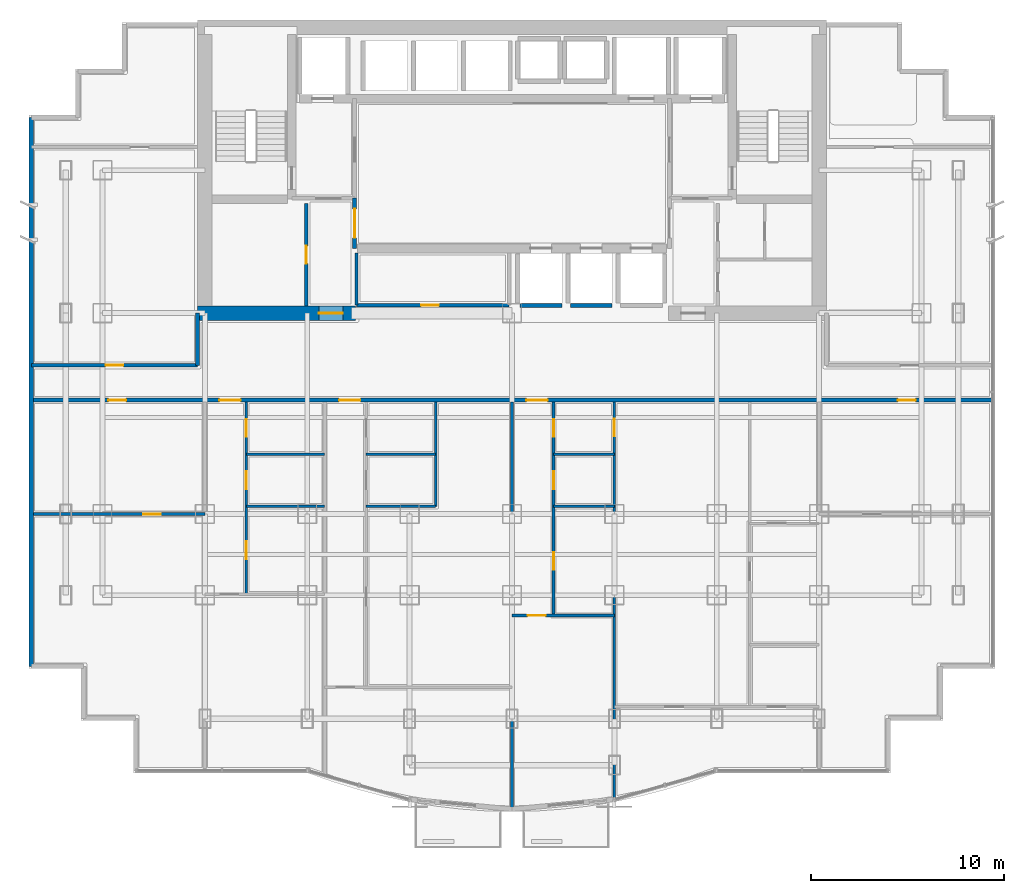
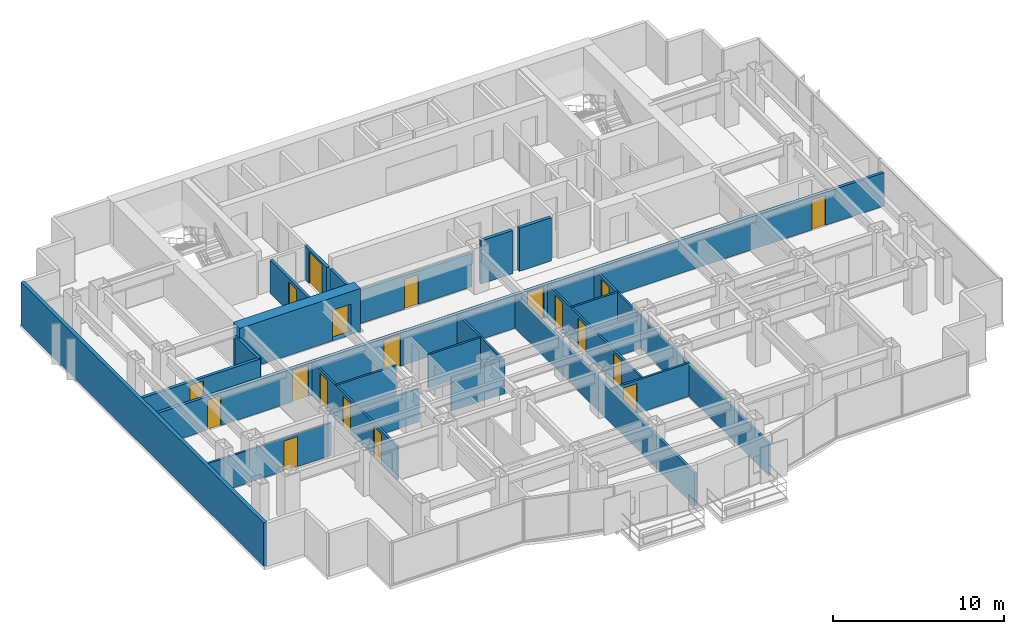
# One storey, part 7 of 12: 24 walls, 19 doors, 19 openings.
"""IFC4 building model written with IfcOpenShell, lengths in metres."""

import ifcopenshell
import ifcopenshell.guid

model = None  # the IFC model being written
_history = None  # IfcOwnerHistory: only IFC2X3 demands one
_inside = {}  # id of a spatial element -> (the spatial element, [elements in it])
_under = {}  # id of a project, library or spatial element -> (it, [spatial elements below it])
_declared = {}  # id of a project -> (the project, [libraries it declares])
_typed = {}  # id of a type object -> (the type object, [elements of that type])
_made_of = {}  # id of a material, layer set ... -> (it, [elements and type objects made of it])


def new_model(schema):
    """Start an empty IFC model of exactly this schema.

    Asked for "IFC4X3", IfcOpenShell would pick the latest addendum, in which some entities
    have other attributes; the version numbers below select the first issue.
    IFC2X3 requires an IfcOwnerHistory on every rooted entity: one is made here for all.
    """
    global model, _history
    if schema == "IFC4X3":
        model = ifcopenshell.file(schema_version=(4, 3, 0, 0))
    else:
        model = ifcopenshell.file(schema=schema)
    _inside.clear()
    _under.clear()
    _declared.clear()
    _typed.clear()
    _made_of.clear()
    _history = None
    if model.schema == "IFC2X3":
        org = make("IfcOrganization", Name="unknown")
        user = make(
            "IfcPersonAndOrganization",
            ThePerson=make("IfcPerson", FamilyName="unknown"),
            TheOrganization=org,
        )
        app = make(
            "IfcApplication",
            ApplicationDeveloper=org,
            Version="unknown",
            ApplicationFullName="unknown",
            ApplicationIdentifier="unknown",
        )
        _history = make(
            "IfcOwnerHistory",
            OwningUser=user,
            OwningApplication=app,
            ChangeAction="ADDED",
            CreationDate=0,
        )
    return model


def make(cls, **values):
    """One entity of the class cls with the attributes given. An attribute that is None is left unset."""
    return model.create_entity(
        cls, **{name: value for name, value in values.items() if value is not None}
    )


def rooted(cls, **values):
    """An entity with a GlobalId (a new one), such as an element, a storey or a relation."""
    return make(cls, GlobalId=ifcopenshell.guid.new(), OwnerHistory=_history, **values)


def si_unit(unit_type, name, prefix=None):
    """IfcSIUnit, for example si_unit("LENGTHUNIT", "METRE", prefix="MILLI")."""
    return make("IfcSIUnit", UnitType=unit_type, Prefix=prefix, Name=name)


def assignment(units):
    """IfcUnitAssignment: the units of a project."""
    return None if units is None else make("IfcUnitAssignment", Units=units)


def point(xyz):
    """IfcCartesianPoint."""
    return None if xyz is None else make("IfcCartesianPoint", Coordinates=xyz)


def direction(xyz):
    """IfcDirection."""
    return None if xyz is None else make("IfcDirection", DirectionRatios=xyz)


def frame(location, z_axis=None, x_axis=None):
    """IfcAxis2Placement3D, a coordinate frame: its origin and axes. An axis left out is left unset."""
    return make(
        "IfcAxis2Placement3D",
        Location=point(location),
        Axis=direction(z_axis),
        RefDirection=direction(x_axis),
    )


def frame_2d(location, x_axis=None):
    """IfcAxis2Placement2D, a coordinate frame in the plane: its origin and x axis."""
    return make(
        "IfcAxis2Placement2D", Location=point(location), RefDirection=direction(x_axis)
    )


def origin():
    """The frame at (0, 0, 0) with its axes left unset."""
    return frame((0.0, 0.0, 0.0))


def place(relative_to, where):
    """IfcLocalPlacement: puts the frame where relative to a parent placement (None: the world)."""
    return make(
        "IfcLocalPlacement", PlacementRelTo=relative_to, RelativePlacement=where
    )


def context(
    kind, dimensions, precision=None, world=None, true_north=None, identifier=None
):
    """IfcGeometricRepresentationContext, for example the 3D "Model" context."""
    return make(
        "IfcGeometricRepresentationContext",
        ContextIdentifier=identifier,
        ContextType=kind,
        CoordinateSpaceDimension=dimensions,
        Precision=precision,
        WorldCoordinateSystem=world,
        TrueNorth=true_north,
    )


def subcontext(parent, identifier, kind, view, scale=None):
    """IfcGeometricRepresentationSubContext, for example "Body" below "Model"."""
    return make(
        "IfcGeometricRepresentationSubContext",
        ContextIdentifier=identifier,
        ContextType=kind,
        ParentContext=parent,
        TargetScale=scale,
        TargetView=view,
    )


def project(units=None, contexts=None):
    """IfcProject with its units and contexts."""
    return rooted(
        "IfcProject",
        Name="project",
        RepresentationContexts=contexts,
        UnitsInContext=assignment(units),
    )


def spatial(cls, under=None, at=None, **own):
    """A site, building, storey or space (cls), placed at a placement, below another one or the project."""
    s = rooted(cls, ObjectPlacement=at, **own)
    if under is not None:
        _under.setdefault(under.id(), (under, []))[1].append(s)
    return s


def profile(cls, at=None, kind="AREA", **sizes):
    """A parametric profile (cls). Its sizes go by their IFC names, for example OverallWidth=200.0."""
    return make(cls, ProfileType=kind, Position=at, **sizes)


def rectangle(**sizes):
    """IfcRectangleProfileDef."""
    return profile("IfcRectangleProfileDef", **sizes)


def extrude(swept, where, along, depth):
    """IfcExtrudedAreaSolid: the profile swept, set in the frame where, extruded along a direction by depth."""
    return make(
        "IfcExtrudedAreaSolid",
        SweptArea=swept,
        Position=where,
        ExtrudedDirection=direction(along),
        Depth=depth,
    )


def shape(context_of_items, identifier, shape_type, items):
    """IfcShapeRepresentation: the items that make up one representation, for example the "Body"."""
    return make(
        "IfcShapeRepresentation",
        ContextOfItems=context_of_items,
        RepresentationIdentifier=identifier,
        RepresentationType=shape_type,
        Items=items,
    )


def material(Name=None, Category=None):
    """IfcMaterial."""
    return make("IfcMaterial", Name=Name, Category=Category)


def layer(
    of_material, thickness, ventilated=None, Name=None, Category=None, Priority=None
):
    """IfcMaterialLayer: one layer of a wall or slab, of a material (None: an air gap)."""
    return make(
        "IfcMaterialLayer",
        Material=of_material,
        LayerThickness=thickness,
        IsVentilated=ventilated,
        Name=Name,
        Category=Category,
        Priority=Priority,
    )


def layer_set(layers, Name=None):
    """IfcMaterialLayerSet."""
    return make("IfcMaterialLayerSet", MaterialLayers=layers, LayerSetName=Name)


def made_of(thing, what):
    """Note that an element or type object is made of a material, layer set ...; save() writes the relation."""
    if what is not None:
        _made_of.setdefault(what.id(), (what, []))[1].append(thing)
    return thing


def type_object(cls, material=None, **own):
    """A type object (cls), such as IfcWallType, which elements share."""
    return made_of(rooted(cls, **own), material)


def element(
    cls,
    number,
    at=None,
    inside=None,
    cuts=None,
    type_object=None,
    material=None,
    context=None,
    identifier="Body",
    shape_type=None,
    held_by="IfcProductDefinitionShape",
    body=None,
    shapes=None,
    **own,
):
    """One element of the class cls, such as IfcWall. Its Tag is "e" and its number.

    at: its placement. inside: the storey or other place that contains it. cuts: it is an
    opening in that element (IfcRelVoidsElement). A single representation is given by context,
    identifier, shape_type and body (its items); several are given by shapes. held_by: the class
    of the entity that holds the representations. save() writes the other relations.
    """
    e = rooted(cls, Tag="e%d" % number, ObjectPlacement=at, **own)
    if body is not None:
        shapes = [shape(context, identifier, shape_type, body)]
    if shapes is not None:
        e.Representation = make(held_by, Representations=shapes)
    if inside is not None:
        _inside.setdefault(inside.id(), (inside, []))[1].append(e)
    if cuts is not None:
        rooted(
            "IfcRelVoidsElement", RelatingBuildingElement=cuts, RelatedOpeningElement=e
        )
    if type_object is not None:
        _typed.setdefault(type_object.id(), (type_object, []))[1].append(e)
    return made_of(e, material)


def fill(opening, filler):
    """IfcRelFillsElement: the door or window that sits in an opening."""
    return rooted(
        "IfcRelFillsElement",
        RelatingOpeningElement=opening,
        RelatedBuildingElement=filler,
    )


def aggregate(whole, parts):
    """IfcRelAggregates: a whole, such as a stair, and the parts it consists of."""
    return rooted("IfcRelAggregates", RelatingObject=whole, RelatedObjects=parts)


def save(model, path):
    """Write the relations noted so far, then the file.

    IfcRelAggregates (storeys below a building ...), IfcRelContainedInSpatialStructure (elements
    in a storey), IfcRelDefinesByType, IfcRelAssociatesMaterial and IfcRelDeclares: one each for
    every whole, place, type object, material and project.
    """
    for whole, parts in _under.values():
        aggregate(whole, parts)
    for where, things in _inside.values():
        rooted(
            "IfcRelContainedInSpatialStructure",
            RelatedElements=things,
            RelatingStructure=where,
        )
    for kind, things in _typed.values():
        rooted("IfcRelDefinesByType", RelatedObjects=things, RelatingType=kind)
    for what, things in _made_of.values():
        rooted("IfcRelAssociatesMaterial", RelatedObjects=things, RelatingMaterial=what)
    for by, libraries in _declared.values():
        rooted("IfcRelDeclares", RelatingContext=by, RelatedDefinitions=libraries)
    model.write(path)


model = new_model("IFC4")

# Units and contexts
model_context = context("Model", 3, precision=1e-05, world=origin(), true_north=direction((0.0, 1.0)))
body_context = subcontext(model_context, "Body", "Model", "MODEL_VIEW")
ifc_project = project(units=[si_unit("LENGTHUNIT", "METRE"), si_unit("AREAUNIT", "SQUARE_METRE"), si_unit("VOLUMEUNIT", "CUBIC_METRE"), si_unit("PLANEANGLEUNIT", "RADIAN"), si_unit("MASSUNIT", "GRAM", prefix="KILO")], contexts=[model_context])

# Site, building, storey
site_placement = place(None, origin())
site = spatial("IfcSite", under=ifc_project, at=site_placement, CompositionType="ELEMENT")
building_placement = place(site_placement, origin())
building = spatial("IfcBuilding", under=site, at=building_placement, Name="Qianlan Lanfeng Residences", CompositionType="ELEMENT")
storey_placement = place(building_placement, frame((0.0, 0.0, 85.0)))
storey = spatial("IfcBuildingStorey", under=building, at=storey_placement, Name="L22", CompositionType="ELEMENT", Elevation=85.0)

# Wall, opening, door
ifc_material_1 = material(Name="Concrete C60", Category="concrete")
ifc_layer_1 = layer(ifc_material_1, 0.75)
ifc_layer_set_1 = layer_set([ifc_layer_1], Name="Concrete C60")
wall_type_1 = type_object("IfcWallType", Name="CW-RC-750", PredefinedType="SHEAR", material=ifc_layer_set_1)
wall_1_placement = place(storey_placement, frame((10.22509765625, 25.199951171875, 0.0), z_axis=(0.0, 0.0, 1.0), x_axis=(1.0, 0.0, 0.0)))
wall_1 = element("IfcWall", 1, at=wall_1_placement, inside=storey, type_object=wall_type_1, Name="L22 Core Shear Wall SW", PredefinedType="SHEAR", context=body_context, shape_type="SweptSolid", body=[
    extrude(rectangle(XDim=8.1748046875, YDim=0.75, at=frame_2d((4.08740234375, 0.0))), origin(), (0.0, 0.0, 1.0), 3.090087890625),
])
opening_1_placement = place(wall_1_placement, frame((6.27490234375, 0.0, 0.0)))
opening_1 = element("IfcOpeningElement", 2, at=opening_1_placement, cuts=wall_1, Name="Opening L22-D01", PredefinedType="OPENING", context=body_context, shape_type="SweptSolid", body=[
    extrude(rectangle(XDim=1.25, YDim=2.199951171875, at=frame_2d((0.625, 1.10009765625))), frame((0.0, 0.385009765625, 0.0), z_axis=(0.0, -1.0, 0.0), x_axis=(1.0, 0.0, 0.0)), (0.0, 0.0, 1.0), 0.77001953125),
])
ifc_material_2 = material(Name="Painted Galvanised Steel Fire Door", Category="steel")
door_type_1 = type_object("IfcDoorType", Name="DT-FFL", OperationType="NOTDEFINED", PredefinedType="DOOR", material=ifc_material_2)
door_1_placement = place(opening_1_placement, frame((1.25, 0.0, 0.0), z_axis=(0.0, 0.0, 1.0), x_axis=(-1.0, 0.0, 0.0)))
door_1 = element("IfcDoor", 3, at=door_1_placement, inside=storey, type_object=door_type_1, Name="L22 West Core Lobby Smoke Door L22-D01 (DT-FFL)", OperationType="SINGLE_SWING_RIGHT", OverallHeight=2.199951171875, OverallWidth=1.25, PredefinedType="DOOR", context=body_context, shape_type="SweptSolid", body=[
    extrude(rectangle(XDim=1.25, YDim=2.199951171875, at=frame_2d((0.625, 1.10009765625))), frame((0.0, 0.02490234375, 0.0), z_axis=(0.0, -1.0, 0.0), x_axis=(1.0, 0.0, 0.0)), (0.0, 0.0, 1.0), 0.050048828125),
])
fill(opening_1, door_1)

# Wall
ifc_material_3 = material(Name="Concrete C42", Category="concrete")
ifc_layer_2 = layer(ifc_material_3, 0.239990234375)
ifc_layer_set_2 = layer_set([ifc_layer_2], Name="Concrete C42")
wall_type_2 = type_object("IfcWallType", Name="EW-240", PredefinedType="SOLIDWALL", material=ifc_layer_set_2)
wall_2_placement = place(storey_placement, frame((1.6201171875, 35.330078125, 0.0), z_axis=(0.0, 0.0, 1.0), x_axis=(0.0, -1.0, 0.0)))
element("IfcWall", 4, at=wall_2_placement, inside=storey, type_object=wall_type_2, Name="L22 Exterior Facade Spandrel Wall 21", PredefinedType="SOLIDWALL", context=body_context, shape_type="SweptSolid", body=[
    extrude(rectangle(XDim=28.41015625, YDim=0.239990234375, at=frame_2d((14.205078125, 0.0))), origin(), (0.0, 0.0, 1.0), 3.090087890625),
])

# Wall, openings, doors
ifc_material_4 = material(Name="Moisture-Resistant Gypsum Partition 135 mm")
ifc_layer_3 = layer(ifc_material_4, 0.135009765625)
ifc_layer_set_3 = layer_set([ifc_layer_3], Name="Moisture-Resistant Gypsum Partition 135 mm")
wall_type_3 = type_object("IfcWallType", Name="PW-135", PredefinedType="PARTITIONING", material=ifc_layer_set_3)
wall_3_placement = place(storey_placement, frame((12.75, 10.652099609375, 0.0), z_axis=(0.0, 0.0, 1.0), x_axis=(0.0, 1.0, 0.0)))
wall_3 = element("IfcWall", 5, at=wall_3_placement, inside=storey, type_object=wall_type_3, Name="L22 U01 Entry Hall Spine", PredefinedType="PARTITIONING", context=body_context, shape_type="SweptSolid", body=[
    extrude(rectangle(XDim=9.947998046875, YDim=0.135009765625, at=frame_2d((4.97412109375, 0.0))), origin(), (0.0, 0.0, 1.0), 2.3798828125),
])
opening_2_placement = place(wall_3_placement, frame((1.81396484375, 0.0, 0.0)))
opening_2 = element("IfcOpeningElement", 6, at=opening_2_placement, cuts=wall_3, Name="Opening L22-D18", PredefinedType="OPENING", context=body_context, shape_type="SweptSolid", body=[
    extrude(rectangle(XDim=0.919921875, YDim=2.14990234375, at=frame_2d((0.4599609375, 1.074951171875))), frame((0.0, 0.07763671875, 0.0), z_axis=(0.0, -1.0, 0.0), x_axis=(1.0, 0.0, 0.0)), (0.0, 0.0, 1.0), 0.155029296875),
])
opening_3_placement = place(wall_3_placement, frame((5.43798828125, 0.0, 0.0)))
opening_3 = element("IfcOpeningElement", 7, at=opening_3_placement, cuts=wall_3, Name="Opening L22-D19", PredefinedType="OPENING", context=body_context, shape_type="SweptSolid", body=[
    extrude(rectangle(XDim=0.919921875, YDim=2.14990234375, at=frame_2d((0.4599609375, 1.074951171875))), frame((0.0, 0.07763671875, 0.0), z_axis=(0.0, -1.0, 0.0), x_axis=(1.0, 0.0, 0.0)), (0.0, 0.0, 1.0), 0.155029296875),
])
opening_4_placement = place(wall_3_placement, frame((8.14794921875, 0.0, 0.0)))
opening_4 = element("IfcOpeningElement", 8, at=opening_4_placement, cuts=wall_3, Name="Opening L22-D20", PredefinedType="OPENING", context=body_context, shape_type="SweptSolid", body=[
    extrude(rectangle(XDim=0.89990234375, YDim=2.14990234375, at=frame_2d((0.449951171875, 1.074951171875))), frame((0.0, 0.07763671875, 0.0), z_axis=(0.0, -1.0, 0.0), x_axis=(1.0, 0.0, 0.0)), (0.0, 0.0, 1.0), 0.155029296875),
])
ifc_material_5 = material(Name="Glazed Timber Kitchen/Study Door", Category="wood")
door_type_2 = type_object("IfcDoorType", Name="DT-INT", OperationType="NOTDEFINED", PredefinedType="DOOR", material=ifc_material_5)
door_2_placement = place(opening_2_placement, origin())
door_2 = element("IfcDoor", 9, at=door_2_placement, inside=storey, type_object=door_type_2, Name="L22 U01 Study Door L22-D18 (DT-INT)", OperationType="SINGLE_SWING_RIGHT", OverallHeight=2.14990234375, OverallWidth=0.919921875, PredefinedType="DOOR", context=body_context, shape_type="SweptSolid", body=[
    extrude(rectangle(XDim=0.919921875, YDim=2.14990234375, at=frame_2d((0.4599609375, 1.074951171875))), frame((0.0, 0.02490234375, 0.0), z_axis=(0.0, -1.0, 0.0), x_axis=(1.0, 0.0, 0.0)), (0.0, 0.0, 1.0), 0.050048828125),
])
fill(opening_2, door_2)
door_3_placement = place(opening_3_placement, origin())
door_3 = element("IfcDoor", 10, at=door_3_placement, inside=storey, type_object=door_type_2, Name="L22 U01 Kitchen Door L22-D19 (DT-INT)", OperationType="SINGLE_SWING_LEFT", OverallHeight=2.14990234375, OverallWidth=0.919921875, PredefinedType="DOOR", context=body_context, shape_type="SweptSolid", body=[
    extrude(rectangle(XDim=0.919921875, YDim=2.14990234375, at=frame_2d((0.4599609375, 1.074951171875))), frame((0.0, 0.02490234375, 0.0), z_axis=(0.0, -1.0, 0.0), x_axis=(1.0, 0.0, 0.0)), (0.0, 0.0, 1.0), 0.050048828125),
])
fill(opening_3, door_3)
ifc_material_6 = material(Name="Moisture-Resistant Timber Leaf", Category="wood")
door_type_3 = type_object("IfcDoorType", Name="DT-WC", OperationType="NOTDEFINED", PredefinedType="DOOR", material=ifc_material_6)
door_4_placement = place(opening_4_placement, origin())
door_4 = element("IfcDoor", 11, at=door_4_placement, inside=storey, type_object=door_type_3, Name="L22 U01 Bathroom Door L22-D20 (DT-WC)", OperationType="SINGLE_SWING_RIGHT", OverallHeight=2.14990234375, OverallWidth=0.89990234375, PredefinedType="DOOR", context=body_context, shape_type="SweptSolid", body=[
    extrude(rectangle(XDim=0.89990234375, YDim=2.14990234375, at=frame_2d((0.449951171875, 1.074951171875))), frame((0.0, 0.02490234375, 0.0), z_axis=(0.0, -1.0, 0.0), x_axis=(1.0, 0.0, 0.0)), (0.0, 0.0, 1.0), 0.050048828125),
])
fill(opening_4, door_4)

# Walls
for number, where, z_axis, x_axis, name in (
    (12, (12.75, 15.199951171875, 0.0), (0.0, 0.0, 1.0), (1.0, 0.0, 0.0), "L22 U01 Kitchen South Wall"),
    (13, (12.75, 17.89990234375, 0.0), (0.0, 0.0, 1.0), (1.0, 0.0, 0.0), "L22 U01 Bathroom South Wall"),
):
    element("IfcWall", number, at=place(storey_placement, frame(where, z_axis=z_axis, x_axis=x_axis)), inside=storey, type_object=wall_type_3, Name=name, PredefinedType="PARTITIONING", context=body_context, shape_type="SweptSolid", body=[
        extrude(rectangle(XDim=4.050048828125, YDim=0.135009765625, at=frame_2d((2.02490234375, 0.0))), origin(), (0.0, 0.0, 1.0), 2.3798828125),
    ])
wall_4_placement = place(storey_placement, frame((18.949951171875, 15.199951171875, 0.0), z_axis=(0.0, 0.0, 1.0), x_axis=(1.0, 0.0, 0.0)))
element("IfcWall", 14, at=wall_4_placement, inside=storey, type_object=wall_type_3, Name="L22 U02 Kitchen South Wall", PredefinedType="PARTITIONING", context=body_context, shape_type="SweptSolid", body=[
    extrude(rectangle(XDim=3.60009765625, YDim=0.135009765625, at=frame_2d((1.800048828125, 0.0))), origin(), (0.0, 0.0, 1.0), 2.3798828125),
])
wall_5_placement = place(storey_placement, frame((22.550048828125, 15.199951171875, 0.0), z_axis=(0.0, 0.0, 1.0), x_axis=(0.0, 1.0, 0.0)))
element("IfcWall", 15, at=wall_5_placement, inside=storey, type_object=wall_type_3, Name="L22 U02 Dining East Wall", PredefinedType="PARTITIONING", context=body_context, shape_type="SweptSolid", body=[
    extrude(rectangle(XDim=5.400146484375, YDim=0.135009765625, at=frame_2d((2.7001953125, 0.0))), origin(), (0.0, 0.0, 1.0), 2.3798828125),
])
wall_6_placement = place(storey_placement, frame((18.949951171875, 17.89990234375, 0.0), z_axis=(0.0, 0.0, 1.0), x_axis=(1.0, 0.0, 0.0)))
element("IfcWall", 16, at=wall_6_placement, inside=storey, type_object=wall_type_3, Name="L22 U02 Bathroom South Wall", PredefinedType="PARTITIONING", context=body_context, shape_type="SweptSolid", body=[
    extrude(rectangle(XDim=3.60009765625, YDim=0.135009765625, at=frame_2d((1.800048828125, 0.0))), origin(), (0.0, 0.0, 1.0), 2.3798828125),
])

# Wall, opening, door
wall_7_placement = place(storey_placement, frame((31.800048828125, 0.126953125, 0.0), z_axis=(0.0, 0.0, 1.0), x_axis=(0.0, 1.0, 0.0)))
wall_7 = element("IfcWall", 17, at=wall_7_placement, inside=storey, type_object=wall_type_3, Name="L22 U03 Bay Spine Wall 1", PredefinedType="PARTITIONING", context=body_context, shape_type="SweptSolid", body=[
    extrude(rectangle(XDim=20.47314453125, YDim=0.135009765625, at=frame_2d((10.236572265625, 0.0))), origin(), (0.0, 0.0, 1.0), 2.3349609375),
])
opening_5_placement = place(wall_7_placement, frame((18.68798828125, 0.0, 0.0)))
opening_5 = element("IfcOpeningElement", 18, at=opening_5_placement, cuts=wall_7, Name="Opening L22-D27", PredefinedType="OPENING", context=body_context, shape_type="SweptSolid", body=[
    extrude(rectangle(XDim=0.919921875, YDim=2.14990234375, at=frame_2d((0.4599609375, 1.074951171875))), frame((0.0, 0.07763671875, 0.0), z_axis=(0.0, -1.0, 0.0), x_axis=(1.0, 0.0, 0.0)), (0.0, 0.0, 1.0), 0.155029296875),
])
door_5_placement = place(opening_5_placement, origin())
door_5 = element("IfcDoor", 19, at=door_5_placement, inside=storey, type_object=door_type_2, Name="L22 U03 Internal Hall Door L22-D27 (DT-INT)", OperationType="SINGLE_SWING_LEFT", OverallHeight=2.14990234375, OverallWidth=0.919921875, PredefinedType="DOOR", context=body_context, shape_type="SweptSolid", body=[
    extrude(rectangle(XDim=0.919921875, YDim=2.14990234375, at=frame_2d((0.4599609375, 1.074951171875))), frame((0.0, 0.02490234375, 0.0), z_axis=(0.0, -1.0, 0.0), x_axis=(1.0, 0.0, 0.0)), (0.0, 0.0, 1.0), 0.050048828125),
])
fill(opening_5, door_5)

wall_8_placement = place(storey_placement, frame((26.5, 9.547119140625, 0.0), z_axis=(0.0, 0.0, 1.0), x_axis=(1.0, 0.0, 0.0)))
wall_8 = element("IfcWall", 20, at=wall_8_placement, inside=storey, type_object=wall_type_3, Name="L22 U03 Living Divider", PredefinedType="PARTITIONING", context=body_context, shape_type="SweptSolid", body=[
    extrude(rectangle(XDim=5.300048828125, YDim=0.135009765625, at=frame_2d((2.64990234375, 0.0))), origin(), (0.0, 0.0, 1.0), 2.3798828125),
])
opening_6_placement = place(wall_8_placement, frame((0.81494140625, 0.0, 0.0)))
opening_6 = element("IfcOpeningElement", 21, at=opening_6_placement, cuts=wall_8, Name="Opening L22-D28", PredefinedType="OPENING", context=body_context, shape_type="SweptSolid", body=[
    extrude(rectangle(XDim=0.919921875, YDim=2.14990234375, at=frame_2d((0.4599609375, 1.074951171875))), frame((0.0, 0.07763671875, 0.0), z_axis=(0.0, -1.0, 0.0), x_axis=(1.0, 0.0, 0.0)), (0.0, 0.0, 1.0), 0.155029296875),
])
door_6_placement = place(opening_6_placement, frame((0.919921875, 0.0, 0.0), z_axis=(0.0, 0.0, 1.0), x_axis=(-1.0, 0.0, 0.0)))
door_6 = element("IfcDoor", 22, at=door_6_placement, inside=storey, type_object=door_type_2, Name="L22 U03 Living Passage Door L22-D28 (DT-INT)", OperationType="SINGLE_SWING_LEFT", OverallHeight=2.14990234375, OverallWidth=0.919921875, PredefinedType="DOOR", context=body_context, shape_type="SweptSolid", body=[
    extrude(rectangle(XDim=0.919921875, YDim=2.14990234375, at=frame_2d((0.4599609375, 1.074951171875))), frame((0.0, 0.02490234375, 0.0), z_axis=(0.0, -1.0, 0.0), x_axis=(1.0, 0.0, 0.0)), (0.0, 0.0, 1.0), 0.050048828125),
])
fill(opening_6, door_6)

# Wall, openings, doors
wall_9_placement = place(storey_placement, frame((28.64990234375, 9.547119140625, 0.0), z_axis=(0.0, 0.0, 1.0), x_axis=(0.0, 1.0, 0.0)))
wall_9 = element("IfcWall", 23, at=wall_9_placement, inside=storey, type_object=wall_type_3, Name="L22 U03 Entry Hall Spine", PredefinedType="PARTITIONING", context=body_context, shape_type="SweptSolid", body=[
    extrude(rectangle(XDim=11.052978515625, YDim=0.135009765625, at=frame_2d((5.5263671875, 0.0))), origin(), (0.0, 0.0, 1.0), 2.3798828125),
])
opening_7_placement = place(wall_9_placement, frame((2.365966796875, 0.0, 0.0)))
opening_7 = element("IfcOpeningElement", 24, at=opening_7_placement, cuts=wall_9, Name="Opening L22-D29", PredefinedType="OPENING", context=body_context, shape_type="SweptSolid", body=[
    extrude(rectangle(XDim=0.919921875, YDim=2.14990234375, at=frame_2d((0.4599609375, 1.074951171875))), frame((0.0, 0.07763671875, 0.0), z_axis=(0.0, -1.0, 0.0), x_axis=(1.0, 0.0, 0.0)), (0.0, 0.0, 1.0), 0.155029296875),
])
opening_8_placement = place(wall_9_placement, frame((6.54296875, 0.0, 0.0)))
opening_8 = element("IfcOpeningElement", 25, at=opening_8_placement, cuts=wall_9, Name="Opening L22-D30", PredefinedType="OPENING", context=body_context, shape_type="SweptSolid", body=[
    extrude(rectangle(XDim=0.919921875, YDim=2.14990234375, at=frame_2d((0.4599609375, 1.074951171875))), frame((0.0, 0.07763671875, 0.0), z_axis=(0.0, -1.0, 0.0), x_axis=(1.0, 0.0, 0.0)), (0.0, 0.0, 1.0), 0.155029296875),
])
opening_9_placement = place(wall_9_placement, frame((9.2529296875, 0.0, 0.0)))
opening_9 = element("IfcOpeningElement", 26, at=opening_9_placement, cuts=wall_9, Name="Opening L22-D31", PredefinedType="OPENING", context=body_context, shape_type="SweptSolid", body=[
    extrude(rectangle(XDim=0.89990234375, YDim=2.14990234375, at=frame_2d((0.449951171875, 1.074951171875))), frame((0.0, 0.07763671875, 0.0), z_axis=(0.0, -1.0, 0.0), x_axis=(1.0, 0.0, 0.0)), (0.0, 0.0, 1.0), 0.155029296875),
])
door_7_placement = place(opening_7_placement, origin())
door_7 = element("IfcDoor", 27, at=door_7_placement, inside=storey, type_object=door_type_2, Name="L22 U03 Study Door L22-D29 (DT-INT)", OperationType="SINGLE_SWING_LEFT", OverallHeight=2.14990234375, OverallWidth=0.919921875, PredefinedType="DOOR", context=body_context, shape_type="SweptSolid", body=[
    extrude(rectangle(XDim=0.919921875, YDim=2.14990234375, at=frame_2d((0.4599609375, 1.074951171875))), frame((0.0, 0.02490234375, 0.0), z_axis=(0.0, -1.0, 0.0), x_axis=(1.0, 0.0, 0.0)), (0.0, 0.0, 1.0), 0.050048828125),
])
fill(opening_7, door_7)
door_8_placement = place(opening_8_placement, origin())
door_8 = element("IfcDoor", 28, at=door_8_placement, inside=storey, type_object=door_type_2, Name="L22 U03 Kitchen Door L22-D30 (DT-INT)", OperationType="SINGLE_SWING_RIGHT", OverallHeight=2.14990234375, OverallWidth=0.919921875, PredefinedType="DOOR", context=body_context, shape_type="SweptSolid", body=[
    extrude(rectangle(XDim=0.919921875, YDim=2.14990234375, at=frame_2d((0.4599609375, 1.074951171875))), frame((0.0, 0.02490234375, 0.0), z_axis=(0.0, -1.0, 0.0), x_axis=(1.0, 0.0, 0.0)), (0.0, 0.0, 1.0), 0.050048828125),
])
fill(opening_8, door_8)
door_9_placement = place(opening_9_placement, origin())
door_9 = element("IfcDoor", 29, at=door_9_placement, inside=storey, type_object=door_type_3, Name="L22 U03 Bathroom Door L22-D31 (DT-WC)", OperationType="SINGLE_SWING_LEFT", OverallHeight=2.14990234375, OverallWidth=0.89990234375, PredefinedType="DOOR", context=body_context, shape_type="SweptSolid", body=[
    extrude(rectangle(XDim=0.89990234375, YDim=2.14990234375, at=frame_2d((0.449951171875, 1.074951171875))), frame((0.0, 0.02490234375, 0.0), z_axis=(0.0, -1.0, 0.0), x_axis=(1.0, 0.0, 0.0)), (0.0, 0.0, 1.0), 0.050048828125),
])
fill(opening_9, door_9)

# Walls
for number, where, z_axis, x_axis, name in (
    (30, (28.64990234375, 15.199951171875, 0.0), (0.0, 0.0, 1.0), (1.0, 0.0, 0.0), "L22 U03 Kitchen South Wall"),
    (31, (28.64990234375, 17.89990234375, 0.0), (0.0, 0.0, 1.0), (1.0, 0.0, 0.0), "L22 U03 Bathroom South Wall"),
):
    element("IfcWall", number, at=place(storey_placement, frame(where, z_axis=z_axis, x_axis=x_axis)), inside=storey, type_object=wall_type_3, Name=name, PredefinedType="PARTITIONING", context=body_context, shape_type="SweptSolid", body=[
        extrude(rectangle(XDim=3.150146484375, YDim=0.135009765625, at=frame_2d((1.5751953125, 0.0))), origin(), (0.0, 0.0, 1.0), 2.3798828125),
    ])

# Wall, opening, door
wall_10_placement = place(storey_placement, frame((1.719970703125, 14.800048828125, 0.0), z_axis=(0.0, 0.0, 1.0), x_axis=(1.0, 0.0, 0.0)))
wall_10 = element("IfcWall", 32, at=wall_10_placement, inside=storey, type_object=wall_type_3, Name="L22 SWP Mid Partition", PredefinedType="PARTITIONING", context=body_context, shape_type="SweptSolid", body=[
    extrude(rectangle(XDim=8.880126953125, YDim=0.135009765625, at=frame_2d((4.43994140625, 0.0))), origin(), (0.0, 0.0, 1.0), 2.3349609375),
])
opening_10_placement = place(wall_10_placement, frame((5.679931640625, 0.0, 0.0)))
opening_10 = element("IfcOpeningElement", 33, at=opening_10_placement, cuts=wall_10, Name="Opening L22-D36", PredefinedType="OPENING", context=body_context, shape_type="SweptSolid", body=[
    extrude(rectangle(XDim=0.919921875, YDim=2.14990234375, at=frame_2d((0.4599609375, 1.074951171875))), frame((0.0, 0.07763671875, 0.0), z_axis=(0.0, -1.0, 0.0), x_axis=(1.0, 0.0, 0.0)), (0.0, 0.0, 1.0), 0.155029296875),
])
door_10_placement = place(opening_10_placement, origin())
door_10 = element("IfcDoor", 34, at=door_10_placement, inside=storey, type_object=door_type_2, Name="L22 SWP Inner Door L22-D36 (DT-INT)", OperationType="SINGLE_SWING_RIGHT", OverallHeight=2.14990234375, OverallWidth=0.919921875, PredefinedType="DOOR", context=body_context, shape_type="SweptSolid", body=[
    extrude(rectangle(XDim=0.919921875, YDim=2.14990234375, at=frame_2d((0.4599609375, 1.074951171875))), frame((0.0, 0.02490234375, 0.0), z_axis=(0.0, -1.0, 0.0), x_axis=(1.0, 0.0, 0.0)), (0.0, 0.0, 1.0), 0.050048828125),
])
fill(opening_10, door_10)

ifc_material_7 = material(Name="Double-Layer Acoustic Gypsum Stud Wall 180 mm")
ifc_layer_4 = layer(ifc_material_7, 0.179931640625)
ifc_layer_set_4 = layer_set([ifc_layer_4], Name="Double-Layer Acoustic Gypsum Stud Wall 180 mm")
wall_type_4 = type_object("IfcWallType", Name="PW-180", PredefinedType="PARTITIONING", material=ifc_layer_set_4)
wall_11_placement = place(storey_placement, frame((15.85009765625, 25.574951171875, 0.0), z_axis=(0.0, 0.0, 1.0), x_axis=(0.0, 1.0, 0.0)))
wall_11 = element("IfcWall", 35, at=wall_11_placement, inside=storey, type_object=wall_type_4, Name="L22 Core West Service Room Wall", PredefinedType="PARTITIONING", context=body_context, shape_type="SweptSolid", body=[
    extrude(rectangle(XDim=5.300048828125, YDim=0.179931640625, at=frame_2d((2.64990234375, 0.0))), origin(), (0.0, 0.0, 1.0), 2.3798828125),
])
opening_11_placement = place(wall_11_placement, frame((2.18994140625, 0.0, 0.0)))
opening_11 = element("IfcOpeningElement", 36, at=opening_11_placement, cuts=wall_11, Name="Opening L22-D09", PredefinedType="OPENING", context=body_context, shape_type="SweptSolid", body=[
    extrude(rectangle(XDim=0.919921875, YDim=2.14990234375, at=frame_2d((0.4599609375, 1.074951171875))), frame((0.0, 0.10009765625, 0.0), z_axis=(0.0, -1.0, 0.0), x_axis=(1.0, 0.0, 0.0)), (0.0, 0.0, 1.0), 0.199951171875),
])
door_11_placement = place(opening_11_placement, origin())
door_11 = element("IfcDoor", 37, at=door_11_placement, inside=storey, type_object=door_type_2, Name="L22 Storage Room Door L22-D09 (DT-INT)", OperationType="SINGLE_SWING_LEFT", OverallHeight=2.14990234375, OverallWidth=0.919921875, PredefinedType="DOOR", context=body_context, shape_type="SweptSolid", body=[
    extrude(rectangle(XDim=0.919921875, YDim=2.14990234375, at=frame_2d((0.4599609375, 1.074951171875))), frame((0.0, 0.02490234375, 0.0), z_axis=(0.0, -1.0, 0.0), x_axis=(1.0, 0.0, 0.0)), (0.0, 0.0, 1.0), 0.050048828125),
])
fill(opening_11, door_11)

# Wall
wall_12_placement = place(storey_placement, frame((18.449951171875, 25.6201171875, 0.0), z_axis=(0.0, 0.0, 1.0), x_axis=(0.0, 1.0, 0.0)))
element("IfcWall", 38, at=wall_12_placement, inside=storey, type_object=wall_type_4, Name="L22 Reclaimed Low-Bank Room West Wall", PredefinedType="PARTITIONING", context=body_context, shape_type="SweptSolid", body=[
    extrude(rectangle(XDim=2.704833984375, YDim=0.179931640625, at=frame_2d((1.3525390625, 0.0))), origin(), (0.0, 0.0, 1.0), 2.3798828125),
])

# Wall, opening, door
wall_13_placement = place(storey_placement, frame((18.449951171875, 25.6201171875, 0.0), z_axis=(0.0, 0.0, 1.0), x_axis=(1.0, 0.0, 0.0)))
wall_13 = element("IfcWall", 39, at=wall_13_placement, inside=storey, type_object=wall_type_4, Name="L22 Reclaimed Low-Bank Room South Wall", PredefinedType="PARTITIONING", context=body_context, shape_type="SweptSolid", body=[
    extrude(rectangle(XDim=7.900146484375, YDim=0.179931640625, at=frame_2d((3.9501953125, 0.0))), origin(), (0.0, 0.0, 1.0), 2.3798828125),
])
opening_12_placement = place(wall_13_placement, frame((3.340087890625, 0.0, 0.0)))
opening_12 = element("IfcOpeningElement", 40, at=opening_12_placement, cuts=wall_13, Name="Opening L22-D15", PredefinedType="OPENING", context=body_context, shape_type="SweptSolid", body=[
    extrude(rectangle(XDim=0.919921875, YDim=2.14990234375, at=frame_2d((0.4599609375, 1.074951171875))), frame((0.0, 0.10009765625, 0.0), z_axis=(0.0, -1.0, 0.0), x_axis=(1.0, 0.0, 0.0)), (0.0, 0.0, 1.0), 0.199951171875),
])
door_12_placement = place(opening_12_placement, origin())
door_12 = element("IfcDoor", 41, at=door_12_placement, inside=storey, type_object=door_type_2, Name="L22 Reclaimed Core Salon Door L22-D15 (DT-INT)", OperationType="SINGLE_SWING_LEFT", OverallHeight=2.14990234375, OverallWidth=0.919921875, PredefinedType="DOOR", context=body_context, shape_type="SweptSolid", body=[
    extrude(rectangle(XDim=0.919921875, YDim=2.14990234375, at=frame_2d((0.4599609375, 1.074951171875))), frame((0.0, 0.02490234375, 0.0), z_axis=(0.0, -1.0, 0.0), x_axis=(1.0, 0.0, 0.0)), (0.0, 0.0, 1.0), 0.050048828125),
])
fill(opening_12, door_12)

# Wall
wall_14_placement = place(storey_placement, frame((26.5, -0.3798828125, 0.0), z_axis=(0.0, 0.0, 1.0), x_axis=(0.0, 1.0, 0.0)))
element("IfcWall", 42, at=wall_14_placement, inside=storey, type_object=wall_type_4, Name="L22 Inter-Tenancy Party Wall 3", PredefinedType="PARTITIONING", context=body_context, shape_type="SweptSolid", body=[
    extrude(rectangle(XDim=20.97998046875, YDim=0.179931640625, at=frame_2d((10.489990234375, 0.0))), origin(), (0.0, 0.0, 1.0), 2.3349609375),
])

# Wall, opening, door
ifc_material_8 = material(Name="Autoclaved Aerated Concrete Blockwork 200 mm", Category="masonry")
ifc_layer_5 = layer(ifc_material_8, 0.199951171875)
ifc_layer_set_5 = layer_set([ifc_layer_5], Name="Autoclaved Aerated Concrete Blockwork 200 mm")
wall_type_5 = type_object("IfcWallType", Name="PW-200", PredefinedType="PARTITIONING", material=ifc_layer_set_5)
wall_15_placement = place(storey_placement, frame((18.35009765625, 28.550048828125, 0.0), z_axis=(0.0, 0.0, 1.0), x_axis=(0.0, 1.0, 0.0)))
wall_15 = element("IfcWall", 43, at=wall_15_placement, inside=storey, type_object=wall_type_5, Name="L22 Lift Lobby West Connector Wall", PredefinedType="PARTITIONING", context=body_context, shape_type="SweptSolid", body=[
    extrude(rectangle(XDim=2.599853515625, YDim=0.199951171875, at=frame_2d((1.2998046875, 0.0))), origin(), (0.0, 0.0, 1.0), 2.3798828125),
])
opening_13_placement = place(wall_15_placement, frame((0.550048828125, 0.0, 0.0)))
opening_13 = element("IfcOpeningElement", 44, at=opening_13_placement, cuts=wall_15, Name="Opening L22-D13", PredefinedType="OPENING", context=body_context, shape_type="SweptSolid", body=[
    extrude(rectangle(XDim=1.5, YDim=2.25, at=frame_2d((0.75, 1.125))), frame((0.0, 0.10986328125, 0.0), z_axis=(0.0, -1.0, 0.0), x_axis=(1.0, 0.0, 0.0)), (0.0, 0.0, 1.0), 0.219970703125),
])
ifc_material_9 = material(Name="Timber Veneer Acoustic Fire Door", Category="wood")
door_type_4 = type_object("IfcDoorType", Name="DT-COR1", OperationType="NOTDEFINED", PredefinedType="DOOR", material=ifc_material_9)
door_13_placement = place(opening_13_placement, origin())
door_13 = element("IfcDoor", 45, at=door_13_placement, inside=storey, type_object=door_type_4, Name="L22 Lift Lobby West Portal Door L22-D13 (DT-COR1)", OperationType="DOUBLE_DOOR_SINGLE_SWING", OverallHeight=2.25, OverallWidth=1.5, PredefinedType="DOOR", context=body_context, shape_type="SweptSolid", body=[
    extrude(rectangle(XDim=1.5, YDim=2.25, at=frame_2d((0.75, 1.125))), frame((0.0, 0.02490234375, 0.0), z_axis=(0.0, -1.0, 0.0), x_axis=(1.0, 0.0, 0.0)), (0.0, 0.0, 1.0), 0.050048828125),
])
fill(opening_13, door_13)

# Wall, openings, doors
wall_16_placement = place(storey_placement, frame((1.6201171875, 20.699951171875, 0.0), z_axis=(0.0, 0.0, 1.0), x_axis=(1.0, 0.0, 0.0)))
wall_16 = element("IfcWall", 46, at=wall_16_placement, inside=storey, type_object=wall_type_5, Name="L22 Residential Corridor South Fire Wall", PredefinedType="PARTITIONING", context=body_context, shape_type="SweptSolid", body=[
    extrude(rectangle(XDim=49.759765625, YDim=0.199951171875, at=frame_2d((24.8798828125, 0.0))), origin(), (0.0, 0.0, 1.0), 2.3798828125),
])
opening_14_placement = place(wall_16_placement, frame((9.72998046875, 0.0, 0.0)))
opening_14 = element("IfcOpeningElement", 47, at=opening_14_placement, cuts=wall_16, Name="Opening L22-D16", PredefinedType="OPENING", context=body_context, shape_type="SweptSolid", body=[
    extrude(rectangle(XDim=1.10009765625, YDim=2.25, at=frame_2d((0.550048828125, 1.125))), frame((0.0, 0.10986328125, 0.0), z_axis=(0.0, -1.0, 0.0), x_axis=(1.0, 0.0, 0.0)), (0.0, 0.0, 1.0), 0.219970703125),
])
opening_15_placement = place(wall_16_placement, frame((15.929931640625, 0.0, 0.0)))
opening_15 = element("IfcOpeningElement", 48, at=opening_15_placement, cuts=wall_16, Name="Opening L22-D21", PredefinedType="OPENING", context=body_context, shape_type="SweptSolid", body=[
    extrude(rectangle(XDim=1.10009765625, YDim=2.25, at=frame_2d((0.550048828125, 1.125))), frame((0.0, 0.10986328125, 0.0), z_axis=(0.0, -1.0, 0.0), x_axis=(1.0, 0.0, 0.0)), (0.0, 0.0, 1.0), 0.219970703125),
])
opening_16_placement = place(wall_16_placement, frame((25.6298828125, 0.0, 0.0)))
opening_16 = element("IfcOpeningElement", 49, at=opening_16_placement, cuts=wall_16, Name="Opening L22-D26", PredefinedType="OPENING", context=body_context, shape_type="SweptSolid", body=[
    extrude(rectangle(XDim=1.10009765625, YDim=2.25, at=frame_2d((0.550048828125, 1.125))), frame((0.0, 0.10986328125, 0.0), z_axis=(0.0, -1.0, 0.0), x_axis=(1.0, 0.0, 0.0)), (0.0, 0.0, 1.0), 0.219970703125),
])
opening_17_placement = place(wall_16_placement, frame((3.985107421875, 0.0, 0.0)))
opening_17 = element("IfcOpeningElement", 50, at=opening_17_placement, cuts=wall_16, Name="Opening L22-D37", PredefinedType="OPENING", context=body_context, shape_type="SweptSolid", body=[
    extrude(rectangle(XDim=0.919921875, YDim=2.14990234375, at=frame_2d((0.4599609375, 1.074951171875))), frame((0.0, 0.10986328125, 0.0), z_axis=(0.0, -1.0, 0.0), x_axis=(1.0, 0.0, 0.0)), (0.0, 0.0, 1.0), 0.219970703125),
])
opening_18_placement = place(wall_16_placement, frame((44.85498046875, 0.0, 0.0)))
opening_18 = element("IfcOpeningElement", 51, at=opening_18_placement, cuts=wall_16, Name="Opening L22-D39", PredefinedType="OPENING", context=body_context, shape_type="SweptSolid", body=[
    extrude(rectangle(XDim=0.919921875, YDim=2.14990234375, at=frame_2d((0.4599609375, 1.074951171875))), frame((0.0, 0.10986328125, 0.0), z_axis=(0.0, -1.0, 0.0), x_axis=(1.0, 0.0, 0.0)), (0.0, 0.0, 1.0), 0.219970703125),
])
door_14_placement = place(opening_17_placement, origin())
door_14 = element("IfcDoor", 52, at=door_14_placement, inside=storey, type_object=door_type_2, Name="L22 SWP Corridor Door L22-D37 (DT-INT)", OperationType="SINGLE_SWING_LEFT", OverallHeight=2.14990234375, OverallWidth=0.919921875, PredefinedType="DOOR", context=body_context, shape_type="SweptSolid", body=[
    extrude(rectangle(XDim=0.919921875, YDim=2.14990234375, at=frame_2d((0.4599609375, 1.074951171875))), frame((0.0, 0.02490234375, 0.0), z_axis=(0.0, -1.0, 0.0), x_axis=(1.0, 0.0, 0.0)), (0.0, 0.0, 1.0), 0.050048828125),
])
fill(opening_17, door_14)
door_15_placement = place(opening_18_placement, origin())
door_15 = element("IfcDoor", 53, at=door_15_placement, inside=storey, type_object=door_type_2, Name="L22 SEP Corridor Door L22-D39 (DT-INT)", OperationType="SINGLE_SWING_LEFT", OverallHeight=2.14990234375, OverallWidth=0.919921875, PredefinedType="DOOR", context=body_context, shape_type="SweptSolid", body=[
    extrude(rectangle(XDim=0.919921875, YDim=2.14990234375, at=frame_2d((0.4599609375, 1.074951171875))), frame((0.0, 0.02490234375, 0.0), z_axis=(0.0, -1.0, 0.0), x_axis=(1.0, 0.0, 0.0)), (0.0, 0.0, 1.0), 0.050048828125),
])
fill(opening_18, door_15)
ifc_material_10 = material(Name="Solid-Core Oak Veneer Fire Door")
door_type_5 = type_object("IfcDoorType", Name="DT-UNIT", OperationType="NOTDEFINED", PredefinedType="DOOR", material=ifc_material_10)
door_16_placement = place(opening_14_placement, origin())
door_16 = element("IfcDoor", 54, at=door_16_placement, inside=storey, type_object=door_type_5, Name="L22 Apartment U01 Entrance Door L22-D16 (DT-UNIT)", OperationType="SINGLE_SWING_RIGHT", OverallHeight=2.25, OverallWidth=1.10009765625, PredefinedType="DOOR", context=body_context, shape_type="SweptSolid", body=[
    extrude(rectangle(XDim=1.10009765625, YDim=2.25, at=frame_2d((0.550048828125, 1.125))), frame((0.0, 0.02490234375, 0.0), z_axis=(0.0, -1.0, 0.0), x_axis=(1.0, 0.0, 0.0)), (0.0, 0.0, 1.0), 0.050048828125),
])
fill(opening_14, door_16)
door_17_placement = place(opening_15_placement, origin())
door_17 = element("IfcDoor", 55, at=door_17_placement, inside=storey, type_object=door_type_5, Name="L22 Apartment U02 Entrance Door L22-D21 (DT-UNIT)", OperationType="SINGLE_SWING_RIGHT", OverallHeight=2.25, OverallWidth=1.10009765625, PredefinedType="DOOR", context=body_context, shape_type="SweptSolid", body=[
    extrude(rectangle(XDim=1.10009765625, YDim=2.25, at=frame_2d((0.550048828125, 1.125))), frame((0.0, 0.02490234375, 0.0), z_axis=(0.0, -1.0, 0.0), x_axis=(1.0, 0.0, 0.0)), (0.0, 0.0, 1.0), 0.050048828125),
])
fill(opening_15, door_17)
door_18_placement = place(opening_16_placement, origin())
door_18 = element("IfcDoor", 56, at=door_18_placement, inside=storey, type_object=door_type_5, Name="L22 Apartment U03 Entrance Door L22-D26 (DT-UNIT)", OperationType="SINGLE_SWING_RIGHT", OverallHeight=2.25, OverallWidth=1.10009765625, PredefinedType="DOOR", context=body_context, shape_type="SweptSolid", body=[
    extrude(rectangle(XDim=1.10009765625, YDim=2.25, at=frame_2d((0.550048828125, 1.125))), frame((0.0, 0.02490234375, 0.0), z_axis=(0.0, -1.0, 0.0), x_axis=(1.0, 0.0, 0.0)), (0.0, 0.0, 1.0), 0.050048828125),
])
fill(opening_16, door_18)

# Wall, opening, door
wall_17_placement = place(storey_placement, frame((1.6201171875, 22.5, 0.0), z_axis=(0.0, 0.0, 1.0), x_axis=(1.0, 0.0, 0.0)))
wall_17 = element("IfcWall", 57, at=wall_17_placement, inside=storey, type_object=wall_type_5, Name="L22 Corridor NW Wall", PredefinedType="PARTITIONING", context=body_context, shape_type="SweptSolid", body=[
    extrude(rectangle(XDim=8.60498046875, YDim=0.199951171875, at=frame_2d((4.302490234375, 0.0))), origin(), (0.0, 0.0, 1.0), 2.3798828125),
])
opening_19_placement = place(wall_17_placement, frame((3.842041015625, 0.0, 0.0)))
opening_19 = element("IfcOpeningElement", 58, at=opening_19_placement, cuts=wall_17, Name="Opening L22-D41", PredefinedType="OPENING", context=body_context, shape_type="SweptSolid", body=[
    extrude(rectangle(XDim=0.919921875, YDim=2.14990234375, at=frame_2d((0.4599609375, 1.074951171875))), frame((0.0, 0.10986328125, 0.0), z_axis=(0.0, -1.0, 0.0), x_axis=(1.0, 0.0, 0.0)), (0.0, 0.0, 1.0), 0.219970703125),
])
door_19_placement = place(opening_19_placement, origin())
door_19 = element("IfcDoor", 59, at=door_19_placement, inside=storey, type_object=door_type_2, Name="L22 WW Amenity Salon Door L22-D41 (DT-INT)", OperationType="SINGLE_SWING_LEFT", OverallHeight=2.14990234375, OverallWidth=0.919921875, PredefinedType="DOOR", context=body_context, shape_type="SweptSolid", body=[
    extrude(rectangle(XDim=0.919921875, YDim=2.14990234375, at=frame_2d((0.4599609375, 1.074951171875))), frame((0.0, 0.02490234375, 0.0), z_axis=(0.0, -1.0, 0.0), x_axis=(1.0, 0.0, 0.0)), (0.0, 0.0, 1.0), 0.050048828125),
])
fill(opening_19, door_19)

# Walls
wall_18_placement = place(storey_placement, frame((10.22509765625, 22.5, 0.0), z_axis=(0.0, 0.0, 1.0), x_axis=(0.0, 1.0, 0.0)))
element("IfcWall", 60, at=wall_18_placement, inside=storey, type_object=wall_type_5, Name="L22 NW Wing Core Return Wall", PredefinedType="PARTITIONING", context=body_context, shape_type="SweptSolid", body=[
    extrude(rectangle(XDim=2.699951171875, YDim=0.199951171875, at=frame_2d((1.35009765625, 0.0))), origin(), (0.0, 0.0, 1.0), 2.3798828125),
])
ifc_material_11 = material(Name="Concrete C49", Category="concrete")
ifc_layer_6 = layer(ifc_material_11, 0.219970703125)
ifc_layer_set_6 = layer_set([ifc_layer_6], Name="Concrete C49")
wall_type_6 = type_object("IfcWallType", Name="SHW-220", PredefinedType="SOLIDWALL", material=ifc_layer_set_6)
wall_19_placement = place(storey_placement, frame((26.919921875, 25.60009765625, 0.0), z_axis=(0.0, 0.0, 1.0), x_axis=(1.0, 0.0, 0.0)))
element("IfcWall", 61, at=wall_19_placement, inside=storey, type_object=wall_type_6, Name="L22 Lift PL-M1 Shaft Back Wall S", PredefinedType="SOLIDWALL", context=body_context, shape_type="SweptSolid", body=[
    extrude(rectangle(XDim=2.16015625, YDim=0.219970703125, at=frame_2d((1.080078125, 0.0))), origin(), (0.0, 0.0, 1.0), 3.090087890625),
])
wall_20_placement = place(storey_placement, frame((29.52001953125, 25.60009765625, 0.0), z_axis=(0.0, 0.0, 1.0), x_axis=(1.0, 0.0, 0.0)))
element("IfcWall", 62, at=wall_20_placement, inside=storey, type_object=wall_type_6, Name="L22 Lift PL-M2 Shaft Back Wall S", PredefinedType="SOLIDWALL", context=body_context, shape_type="SweptSolid", body=[
    extrude(rectangle(XDim=2.159912109375, YDim=0.219970703125, at=frame_2d((1.080078125, 0.0))), origin(), (0.0, 0.0, 1.0), 3.090087890625),
])

save(model, "model.ifc")
